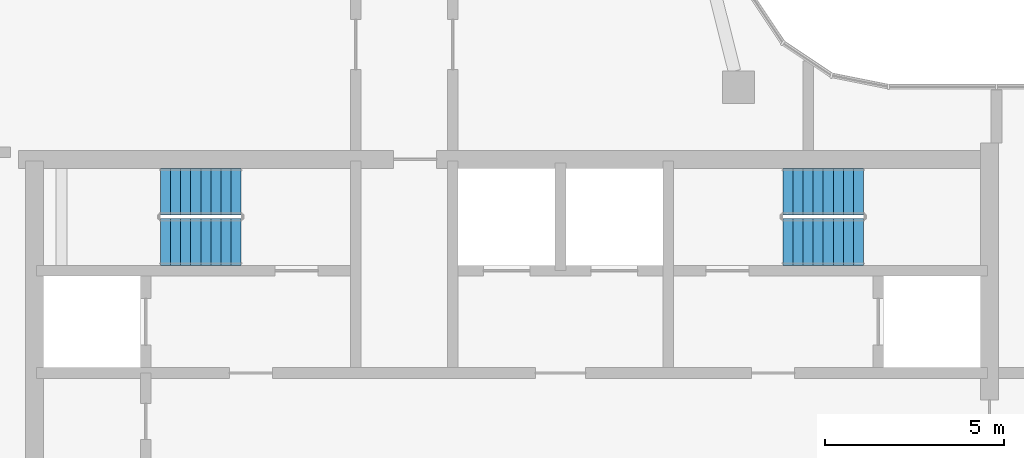
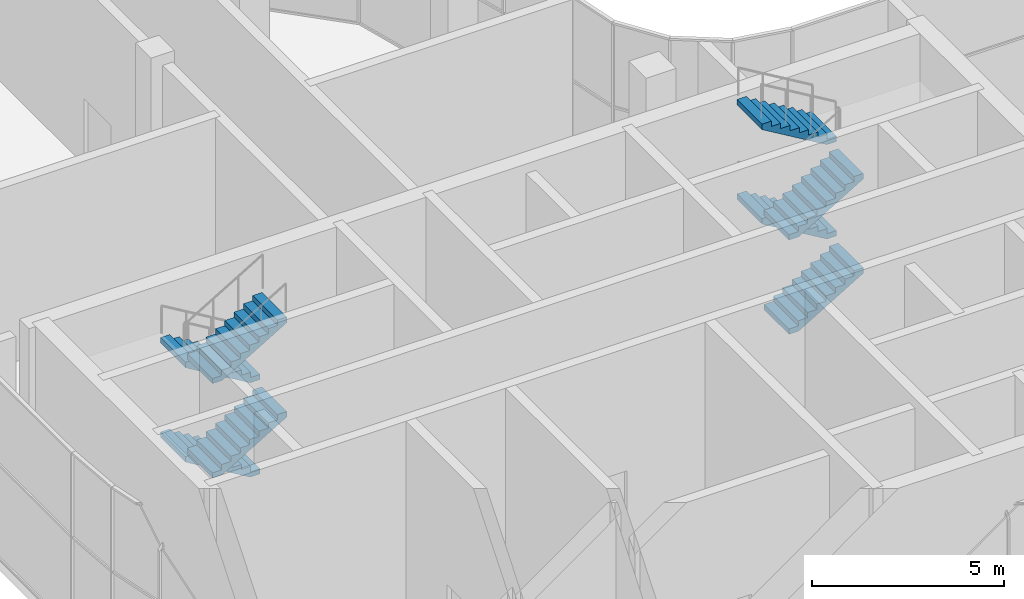
# One storey, part 17 of 19: 8 stair flights, 2 elements without a shape of their own.
"""IFC4 building model written with IfcOpenShell, lengths in metres."""

from ifc_helpers import new_model, si_unit, direction, frame, origin, place, context, subcontext, project, spatial, triangles, source, transform, mapped, material, type_object, element, aggregate, save


model = new_model("IFC4")

# Units and contexts
model_context = context("Model", 3, precision=1e-05, world=origin(), true_north=direction((0.0, 1.0)))
body_context = subcontext(model_context, "Body", "Model", "MODEL_VIEW")
ifc_project = project(units=[si_unit("LENGTHUNIT", "METRE"), si_unit("AREAUNIT", "SQUARE_METRE"), si_unit("VOLUMEUNIT", "CUBIC_METRE"), si_unit("PLANEANGLEUNIT", "RADIAN"), si_unit("MASSUNIT", "GRAM", prefix="KILO")], contexts=[model_context])

# Site, building, storey
site_placement = place(None, origin())
site = spatial("IfcSite", under=ifc_project, at=site_placement, CompositionType="ELEMENT")
building_placement = place(site_placement, origin())
building = spatial("IfcBuilding", under=site, at=building_placement, Name="Ogive Portal Towers", CompositionType="ELEMENT")
storey_placement = place(building_placement, frame((0.0, 0.0, 254.89990234375)))
storey = spatial("IfcBuildingStorey", under=building, at=storey_placement, Name="L63", CompositionType="ELEMENT", Elevation=254.89990234375)

# Stair, stair flights
ifc_material = material(Name="Concrete C40/50", Category="concrete")
stair_type = type_object("IfcStairType", Name="INT-STAIR", PredefinedType="HALF_TURN_STAIR", material=ifc_material)
stair_1_placement = place(storey_placement, origin())
stair_1 = element("IfcStair", 1, at=stair_1_placement, inside=storey, type_object=stair_type, Name="L63 Exit Stair ST-A1", PredefinedType="HALF_TURN_STAIR")
stair_flight_type = type_object("IfcStairFlightType", Name="INT-FLIGHT", PredefinedType="STRAIGHT", material=ifc_material)
shared_shape = source(origin(), body_context, "Body", "Tessellation", [
    triangles([(0.0, -0.650146484375, 0.0), (0.0, -0.376220703125, 0.0), (0.0, -0.192626953125, 0.0), (0.0, -0.081298828125, 0.0), (0.0, -0.024169921875, 0.0), (0.0, -0.003173828125, 0.0), (0.0, 0.0, 0.0), (0.0, 0.0029296875, 0.0), (0.0, 0.02392578125, 0.0), (0.0, 0.0810546875, 0.0), (0.0, 0.1923828125, 0.0), (0.0, 0.3759765625, 0.0), (0.0, 0.64990234375, 0.0), (0.0, -0.650146484375, 0.166748046875), (0.0, -0.376220703125, 0.166748046875), (0.0, -0.192626953125, 0.166748046875), (0.0, -0.081298828125, 0.166748046875), (0.0, -0.024169921875, 0.166748046875), (0.0, -0.003173828125, 0.166748046875), (0.0, 0.0, 0.166748046875), (0.0, 0.0029296875, 0.166748046875), (0.0, 0.02392578125, 0.166748046875), (0.0, 0.0810546875, 0.166748046875), (0.0, 0.1923828125, 0.166748046875), (0.0, 0.3759765625, 0.166748046875), (0.0, 0.64990234375, 0.166748046875), (0.280029296875, -0.650146484375, 0.166748046875), (0.280029296875, -0.376220703125, 0.166748046875), (0.280029296875, -0.192626953125, 0.166748046875), (0.280029296875, -0.081298828125, 0.166748046875), (0.280029296875, -0.024169921875, 0.166748046875), (0.280029296875, -0.003173828125, 0.166748046875), (0.280029296875, 0.0, 0.166748046875), (0.280029296875, 0.0029296875, 0.166748046875), (0.280029296875, 0.02392578125, 0.166748046875), (0.280029296875, 0.0810546875, 0.166748046875), (0.280029296875, 0.1923828125, 0.166748046875), (0.280029296875, 0.3759765625, 0.166748046875), (0.280029296875, 0.64990234375, 0.166748046875), (0.280029296875, -0.650146484375, 0.333251953125), (0.280029296875, -0.376220703125, 0.333251953125), (0.280029296875, -0.192626953125, 0.333251953125), (0.280029296875, -0.081298828125, 0.333251953125), (0.280029296875, -0.024169921875, 0.333251953125), (0.280029296875, -0.003173828125, 0.333251953125), (0.280029296875, 0.0, 0.333251953125), (0.280029296875, 0.0029296875, 0.333251953125), (0.280029296875, 0.02392578125, 0.333251953125), (0.280029296875, 0.0810546875, 0.333251953125), (0.280029296875, 0.1923828125, 0.333251953125), (0.280029296875, 0.3759765625, 0.333251953125), (0.280029296875, 0.64990234375, 0.333251953125), (0.56005859375, -0.650146484375, 0.333251953125), (0.56005859375, -0.376220703125, 0.333251953125), (0.56005859375, -0.192626953125, 0.333251953125), (0.56005859375, -0.081298828125, 0.333251953125), (0.56005859375, -0.024169921875, 0.333251953125), (0.56005859375, -0.003173828125, 0.333251953125), (0.56005859375, 0.0, 0.333251953125), (0.56005859375, 0.0029296875, 0.333251953125), (0.56005859375, 0.02392578125, 0.333251953125), (0.56005859375, 0.0810546875, 0.333251953125), (0.56005859375, 0.1923828125, 0.333251953125), (0.56005859375, 0.3759765625, 0.333251953125), (0.56005859375, 0.64990234375, 0.333251953125), (0.56005859375, -0.650146484375, 0.5), (0.56005859375, -0.376220703125, 0.5), (0.56005859375, -0.192626953125, 0.5), (0.56005859375, -0.081298828125, 0.5), (0.56005859375, -0.024169921875, 0.5), (0.56005859375, -0.003173828125, 0.5), (0.56005859375, 0.0, 0.5), (0.56005859375, 0.0029296875, 0.5), (0.56005859375, 0.02392578125, 0.5), (0.56005859375, 0.0810546875, 0.5), (0.56005859375, 0.1923828125, 0.5), (0.56005859375, 0.3759765625, 0.5), (0.56005859375, 0.64990234375, 0.5), (0.840087890625, -0.650146484375, 0.5), (0.840087890625, -0.376220703125, 0.5), (0.840087890625, -0.192626953125, 0.5), (0.840087890625, -0.081298828125, 0.5), (0.840087890625, -0.024169921875, 0.5), (0.840087890625, -0.003173828125, 0.5), (0.840087890625, 0.0, 0.5), (0.840087890625, 0.0029296875, 0.5), (0.840087890625, 0.02392578125, 0.5), (0.840087890625, 0.0810546875, 0.5), (0.840087890625, 0.1923828125, 0.5), (0.840087890625, 0.3759765625, 0.5), (0.840087890625, 0.64990234375, 0.5), (0.840087890625, -0.650146484375, 0.666748046875), (0.840087890625, -0.376220703125, 0.666748046875), (0.840087890625, -0.192626953125, 0.666748046875), (0.840087890625, -0.081298828125, 0.666748046875), (0.840087890625, -0.024169921875, 0.666748046875), (0.840087890625, -0.003173828125, 0.666748046875), (0.840087890625, 0.0, 0.666748046875), (0.840087890625, 0.0029296875, 0.666748046875), (0.840087890625, 0.02392578125, 0.666748046875), (0.840087890625, 0.0810546875, 0.666748046875), (0.840087890625, 0.1923828125, 0.666748046875), (0.840087890625, 0.3759765625, 0.666748046875), (0.840087890625, 0.64990234375, 0.666748046875), (1.1201171875, -0.650146484375, 0.666748046875), (1.1201171875, -0.376220703125, 0.666748046875), (1.1201171875, -0.192626953125, 0.666748046875), (1.1201171875, -0.081298828125, 0.666748046875), (1.1201171875, -0.024169921875, 0.666748046875), (1.1201171875, -0.003173828125, 0.666748046875), (1.1201171875, 0.0, 0.666748046875), (1.1201171875, 0.0029296875, 0.666748046875), (1.1201171875, 0.02392578125, 0.666748046875), (1.1201171875, 0.0810546875, 0.666748046875), (1.1201171875, 0.1923828125, 0.666748046875), (1.1201171875, 0.3759765625, 0.666748046875), (1.1201171875, 0.64990234375, 0.666748046875), (1.1201171875, -0.650146484375, 0.833251953125), (1.1201171875, -0.376220703125, 0.833251953125), (1.1201171875, -0.192626953125, 0.833251953125), (1.1201171875, -0.081298828125, 0.833251953125), (1.1201171875, -0.024169921875, 0.833251953125), (1.1201171875, -0.003173828125, 0.833251953125), (1.1201171875, 0.0, 0.833251953125), (1.1201171875, 0.0029296875, 0.833251953125), (1.1201171875, 0.02392578125, 0.833251953125), (1.1201171875, 0.0810546875, 0.833251953125), (1.1201171875, 0.1923828125, 0.833251953125), (1.1201171875, 0.3759765625, 0.833251953125), (1.1201171875, 0.64990234375, 0.833251953125), (1.39990234375, -0.650146484375, 0.833251953125), (1.39990234375, -0.376220703125, 0.833251953125), (1.39990234375, -0.192626953125, 0.833251953125), (1.39990234375, -0.081298828125, 0.833251953125), (1.39990234375, -0.024169921875, 0.833251953125), (1.39990234375, -0.003173828125, 0.833251953125), (1.39990234375, 0.0, 0.833251953125), (1.39990234375, 0.0029296875, 0.833251953125), (1.39990234375, 0.02392578125, 0.833251953125), (1.39990234375, 0.0810546875, 0.833251953125), (1.39990234375, 0.1923828125, 0.833251953125), (1.39990234375, 0.3759765625, 0.833251953125), (1.39990234375, 0.64990234375, 0.833251953125), (1.39990234375, -0.650146484375, 1.0), (1.39990234375, -0.376220703125, 1.0), (1.39990234375, -0.192626953125, 1.0), (1.39990234375, -0.081298828125, 1.0), (1.39990234375, -0.024169921875, 1.0), (1.39990234375, -0.003173828125, 1.0), (1.39990234375, 0.0, 1.0), (1.39990234375, 0.0029296875, 1.0), (1.39990234375, 0.02392578125, 1.0), (1.39990234375, 0.0810546875, 1.0), (1.39990234375, 0.1923828125, 1.0), (1.39990234375, 0.3759765625, 1.0), (1.39990234375, 0.64990234375, 1.0), (1.679931640625, -0.650146484375, 1.0), (1.679931640625, -0.376220703125, 1.0), (1.679931640625, -0.192626953125, 1.0), (1.679931640625, -0.081298828125, 1.0), (1.679931640625, -0.024169921875, 1.0), (1.679931640625, -0.003173828125, 1.0), (1.679931640625, 0.0, 1.0), (1.679931640625, 0.0029296875, 1.0), (1.679931640625, 0.02392578125, 1.0), (1.679931640625, 0.0810546875, 1.0), (1.679931640625, 0.1923828125, 1.0), (1.679931640625, 0.3759765625, 1.0), (1.679931640625, 0.64990234375, 1.0), (1.679931640625, -0.650146484375, 1.166748046875), (1.679931640625, -0.376220703125, 1.166748046875), (1.679931640625, -0.192626953125, 1.166748046875), (1.679931640625, -0.081298828125, 1.166748046875), (1.679931640625, -0.024169921875, 1.166748046875), (1.679931640625, -0.003173828125, 1.166748046875), (1.679931640625, 0.0, 1.166748046875), (1.679931640625, 0.0029296875, 1.166748046875), (1.679931640625, 0.02392578125, 1.166748046875), (1.679931640625, 0.0810546875, 1.166748046875), (1.679931640625, 0.1923828125, 1.166748046875), (1.679931640625, 0.3759765625, 1.166748046875), (1.679931640625, 0.64990234375, 1.166748046875), (1.9599609375, -0.650146484375, 1.166748046875), (1.9599609375, -0.376220703125, 1.166748046875), (1.9599609375, -0.192626953125, 1.166748046875), (1.9599609375, -0.081298828125, 1.166748046875), (1.9599609375, -0.024169921875, 1.166748046875), (1.9599609375, -0.003173828125, 1.166748046875), (1.9599609375, 0.0, 1.166748046875), (1.9599609375, 0.0029296875, 1.166748046875), (1.9599609375, 0.02392578125, 1.166748046875), (1.9599609375, 0.0810546875, 1.166748046875), (1.9599609375, 0.1923828125, 1.166748046875), (1.9599609375, 0.3759765625, 1.166748046875), (1.9599609375, 0.64990234375, 1.166748046875), (1.9599609375, -0.650146484375, 1.333251953125), (1.9599609375, -0.376220703125, 1.333251953125), (1.9599609375, -0.192626953125, 1.333251953125), (1.9599609375, -0.081298828125, 1.333251953125), (1.9599609375, -0.024169921875, 1.333251953125), (1.9599609375, -0.003173828125, 1.333251953125), (1.9599609375, 0.0, 1.333251953125), (1.9599609375, 0.0029296875, 1.333251953125), (1.9599609375, 0.02392578125, 1.333251953125), (1.9599609375, 0.0810546875, 1.333251953125), (1.9599609375, 0.1923828125, 1.333251953125), (1.9599609375, 0.3759765625, 1.333251953125), (1.9599609375, 0.64990234375, 1.333251953125), (2.239990234375, -0.650146484375, 1.333251953125), (2.239990234375, -0.376220703125, 1.333251953125), (2.239990234375, -0.192626953125, 1.333251953125), (2.239990234375, -0.081298828125, 1.333251953125), (2.239990234375, -0.024169921875, 1.333251953125), (2.239990234375, -0.003173828125, 1.333251953125), (2.239990234375, 0.0, 1.333251953125), (2.239990234375, 0.0029296875, 1.333251953125), (2.239990234375, 0.02392578125, 1.333251953125), (2.239990234375, 0.0810546875, 1.333251953125), (2.239990234375, 0.1923828125, 1.333251953125), (2.239990234375, 0.3759765625, 1.333251953125), (2.239990234375, 0.64990234375, 1.333251953125), (2.239990234375, -0.650146484375, 1.158935546875), (2.239990234375, -0.376220703125, 1.158935546875), (2.239990234375, -0.192626953125, 1.158935546875), (2.239990234375, -0.081298828125, 1.158935546875), (2.239990234375, -0.024169921875, 1.158935546875), (2.239990234375, -0.003173828125, 1.158935546875), (2.239990234375, 0.0, 1.158935546875), (2.239990234375, 0.0029296875, 1.158935546875), (2.239990234375, 0.02392578125, 1.158935546875), (2.239990234375, 0.0810546875, 1.158935546875), (2.239990234375, 0.1923828125, 1.158935546875), (2.239990234375, 0.3759765625, 1.158935546875), (2.239990234375, 0.64990234375, 1.158935546875), (0.29296875, -0.650146484375, 0.0), (0.29296875, -0.376220703125, 0.0), (0.29296875, -0.192626953125, 0.0), (0.29296875, -0.081298828125, 0.0), (0.29296875, -0.024169921875, 0.0), (0.29296875, -0.003173828125, 0.0), (0.29296875, 0.0, 0.0), (0.29296875, 0.0029296875, 0.0), (0.29296875, 0.02392578125, 0.0), (0.29296875, 0.0810546875, 0.0), (0.29296875, 0.1923828125, 0.0), (0.29296875, 0.3759765625, 0.0), (0.29296875, 0.64990234375, 0.0)], [[1, 14, 15], [1, 15, 2], [2, 15, 16], [2, 16, 3], [3, 16, 17], [3, 17, 4], [4, 17, 18], [4, 18, 5], [5, 18, 19], [5, 19, 6], [6, 19, 20], [6, 20, 7], [7, 20, 21], [7, 21, 8], [8, 21, 22], [8, 22, 9], [9, 22, 23], [9, 23, 10], [10, 23, 24], [10, 24, 11], [11, 24, 25], [11, 25, 12], [12, 25, 26], [12, 26, 13], [14, 27, 28], [14, 28, 15], [15, 28, 29], [15, 29, 16], [16, 29, 30], [16, 30, 17], [17, 30, 31], [17, 31, 18], [18, 31, 32], [18, 32, 19], [19, 32, 33], [19, 33, 20], [20, 33, 34], [20, 34, 21], [21, 34, 35], [21, 35, 22], [22, 35, 36], [22, 36, 23], [23, 36, 37], [23, 37, 24], [24, 37, 38], [24, 38, 25], [25, 38, 39], [25, 39, 26], [27, 40, 41], [27, 41, 28], [28, 41, 42], [28, 42, 29], [29, 42, 43], [29, 43, 30], [30, 43, 44], [30, 44, 31], [31, 44, 45], [31, 45, 32], [32, 45, 46], [32, 46, 33], [33, 46, 47], [33, 47, 34], [34, 47, 48], [34, 48, 35], [35, 48, 49], [35, 49, 36], [36, 49, 50], [36, 50, 37], [37, 50, 51], [37, 51, 38], [38, 51, 52], [38, 52, 39], [40, 53, 54], [40, 54, 41], [41, 54, 55], [41, 55, 42], [42, 55, 56], [42, 56, 43], [43, 56, 57], [43, 57, 44], [44, 57, 58], [44, 58, 45], [45, 58, 59], [45, 59, 46], [46, 59, 60], [46, 60, 47], [47, 60, 61], [47, 61, 48], [48, 61, 62], [48, 62, 49], [49, 62, 63], [49, 63, 50], [50, 63, 64], [50, 64, 51], [51, 64, 65], [51, 65, 52], [53, 66, 67], [53, 67, 54], [54, 67, 68], [54, 68, 55], [55, 68, 69], [55, 69, 56], [56, 69, 70], [56, 70, 57], [57, 70, 71], [57, 71, 58], [58, 71, 72], [58, 72, 59], [59, 72, 73], [59, 73, 60], [60, 73, 74], [60, 74, 61], [61, 74, 75], [61, 75, 62], [62, 75, 76], [62, 76, 63], [63, 76, 77], [63, 77, 64], [64, 77, 78], [64, 78, 65], [66, 79, 80], [66, 80, 67], [67, 80, 81], [67, 81, 68], [68, 81, 82], [68, 82, 69], [69, 82, 83], [69, 83, 70], [70, 83, 84], [70, 84, 71], [71, 84, 85], [71, 85, 72], [72, 85, 86], [72, 86, 73], [73, 86, 87], [73, 87, 74], [74, 87, 88], [74, 88, 75], [75, 88, 89], [75, 89, 76], [76, 89, 90], [76, 90, 77], [77, 90, 91], [77, 91, 78], [79, 92, 93], [79, 93, 80], [80, 93, 94], [80, 94, 81], [81, 94, 95], [81, 95, 82], [82, 95, 96], [82, 96, 83], [83, 96, 97], [83, 97, 84], [84, 97, 98], [84, 98, 85], [85, 98, 99], [85, 99, 86], [86, 99, 100], [86, 100, 87], [87, 100, 101], [87, 101, 88], [88, 101, 102], [88, 102, 89], [89, 102, 103], [89, 103, 90], [90, 103, 104], [90, 104, 91], [92, 105, 106], [92, 106, 93], [93, 106, 107], [93, 107, 94], [94, 107, 108], [94, 108, 95], [95, 108, 109], [95, 109, 96], [96, 109, 110], [96, 110, 97], [97, 110, 111], [97, 111, 98], [98, 111, 112], [98, 112, 99], [99, 112, 113], [99, 113, 100], [100, 113, 114], [100, 114, 101], [101, 114, 115], [101, 115, 102], [102, 115, 116], [102, 116, 103], [103, 116, 117], [103, 117, 104], [105, 118, 119], [105, 119, 106], [106, 119, 120], [106, 120, 107], [107, 120, 121], [107, 121, 108], [108, 121, 122], [108, 122, 109], [109, 122, 123], [109, 123, 110], [110, 123, 124], [110, 124, 111], [111, 124, 125], [111, 125, 112], [112, 125, 126], [112, 126, 113], [113, 126, 127], [113, 127, 114], [114, 127, 128], [114, 128, 115], [115, 128, 129], [115, 129, 116], [116, 129, 130], [116, 130, 117], [118, 131, 132], [118, 132, 119], [119, 132, 133], [119, 133, 120], [120, 133, 134], [120, 134, 121], [121, 134, 135], [121, 135, 122], [122, 135, 136], [122, 136, 123], [123, 136, 137], [123, 137, 124], [124, 137, 138], [124, 138, 125], [125, 138, 139], [125, 139, 126], [126, 139, 140], [126, 140, 127], [127, 140, 141], [127, 141, 128], [128, 141, 142], [128, 142, 129], [129, 142, 143], [129, 143, 130], [131, 144, 145], [131, 145, 132], [132, 145, 146], [132, 146, 133], [133, 146, 147], [133, 147, 134], [134, 147, 148], [134, 148, 135], [135, 148, 149], [135, 149, 136], [136, 149, 150], [136, 150, 137], [137, 150, 151], [137, 151, 138], [138, 151, 152], [138, 152, 139], [139, 152, 153], [139, 153, 140], [140, 153, 154], [140, 154, 141], [141, 154, 155], [141, 155, 142], [142, 155, 156], [142, 156, 143], [144, 157, 158], [144, 158, 145], [145, 158, 159], [145, 159, 146], [146, 159, 160], [146, 160, 147], [147, 160, 161], [147, 161, 148], [148, 161, 162], [148, 162, 149], [149, 162, 163], [149, 163, 150], [150, 163, 164], [150, 164, 151], [151, 164, 165], [151, 165, 152], [152, 165, 166], [152, 166, 153], [153, 166, 167], [153, 167, 154], [154, 167, 168], [154, 168, 155], [155, 168, 169], [155, 169, 156], [157, 170, 171], [157, 171, 158], [158, 171, 172], [158, 172, 159], [159, 172, 173], [159, 173, 160], [160, 173, 174], [160, 174, 161], [161, 174, 175], [161, 175, 162], [162, 175, 176], [162, 176, 163], [163, 176, 177], [163, 177, 164], [164, 177, 178], [164, 178, 165], [165, 178, 179], [165, 179, 166], [166, 179, 180], [166, 180, 167], [167, 180, 181], [167, 181, 168], [168, 181, 182], [168, 182, 169], [170, 183, 184], [170, 184, 171], [171, 184, 185], [171, 185, 172], [172, 185, 186], [172, 186, 173], [173, 186, 187], [173, 187, 174], [174, 187, 188], [174, 188, 175], [175, 188, 189], [175, 189, 176], [176, 189, 190], [176, 190, 177], [177, 190, 191], [177, 191, 178], [178, 191, 192], [178, 192, 179], [179, 192, 193], [179, 193, 180], [180, 193, 194], [180, 194, 181], [181, 194, 195], [181, 195, 182], [183, 196, 197], [183, 197, 184], [184, 197, 198], [184, 198, 185], [185, 198, 199], [185, 199, 186], [186, 199, 200], [186, 200, 187], [187, 200, 201], [187, 201, 188], [188, 201, 202], [188, 202, 189], [189, 202, 203], [189, 203, 190], [190, 203, 204], [190, 204, 191], [191, 204, 205], [191, 205, 192], [192, 205, 206], [192, 206, 193], [193, 206, 207], [193, 207, 194], [194, 207, 208], [194, 208, 195], [196, 209, 210], [196, 210, 197], [197, 210, 211], [197, 211, 198], [198, 211, 212], [198, 212, 199], [199, 212, 213], [199, 213, 200], [200, 213, 214], [200, 214, 201], [201, 214, 215], [201, 215, 202], [202, 215, 216], [202, 216, 203], [203, 216, 217], [203, 217, 204], [204, 217, 218], [204, 218, 205], [205, 218, 219], [205, 219, 206], [206, 219, 220], [206, 220, 207], [207, 220, 221], [207, 221, 208], [209, 222, 223], [209, 223, 210], [210, 223, 224], [210, 224, 211], [211, 224, 225], [211, 225, 212], [212, 225, 226], [212, 226, 213], [213, 226, 227], [213, 227, 214], [214, 227, 228], [214, 228, 215], [215, 228, 229], [215, 229, 216], [216, 229, 230], [216, 230, 217], [217, 230, 231], [217, 231, 218], [218, 231, 232], [218, 232, 219], [219, 232, 233], [219, 233, 220], [220, 233, 234], [220, 234, 221], [222, 235, 236], [222, 236, 223], [223, 236, 237], [223, 237, 224], [224, 237, 238], [224, 238, 225], [225, 238, 239], [225, 239, 226], [226, 239, 240], [226, 240, 227], [227, 240, 241], [227, 241, 228], [228, 241, 242], [228, 242, 229], [229, 242, 243], [229, 243, 230], [230, 243, 244], [230, 244, 231], [231, 244, 245], [231, 245, 232], [232, 245, 246], [232, 246, 233], [233, 246, 247], [233, 247, 234], [235, 1, 2], [235, 2, 236], [236, 2, 3], [236, 3, 237], [237, 3, 4], [237, 4, 238], [238, 4, 5], [238, 5, 239], [239, 5, 6], [239, 6, 240], [240, 6, 7], [240, 7, 241], [241, 7, 8], [241, 8, 242], [242, 8, 9], [242, 9, 243], [243, 9, 10], [243, 10, 244], [244, 10, 11], [244, 11, 245], [245, 11, 12], [245, 12, 246], [246, 12, 13], [246, 13, 247], [1, 235, 222], [13, 234, 247], [222, 209, 196], [234, 208, 221], [222, 196, 183], [234, 195, 208], [222, 183, 170], [234, 182, 195], [222, 170, 157], [234, 169, 182], [157, 144, 131], [169, 143, 156], [222, 157, 131], [234, 143, 169], [131, 118, 105], [143, 117, 130], [222, 131, 105], [234, 117, 143], [105, 92, 79], [117, 91, 104], [222, 105, 79], [234, 91, 117], [79, 66, 53], [91, 65, 78], [222, 79, 53], [234, 65, 91], [1, 222, 53], [13, 65, 234], [53, 40, 27], [65, 39, 52], [1, 53, 27], [13, 39, 65], [27, 14, 1], [39, 13, 26]], closed=True),
])
stair_flight_1_placement = place(storey_placement, frame((37.449951171875, 38.39990234375, 0.0), z_axis=(0.0, 0.0, 1.0), x_axis=(-1.0, 0.0, 0.0)))
stair_flight_1 = element("IfcStairFlight", 2, at=stair_flight_1_placement, type_object=stair_flight_type, Name="ST-A1 flight 1", NumberOfRisers=9, NumberOfTreads=8, PredefinedType="STRAIGHT", RiserHeight=0.166666667, TreadLength=0.28, context=body_context, shape_type="MappedRepresentation", body=[
    mapped(shared_shape, transform((0.0, 0.0, 0.0), scale=1.0)),
])
stair_flight_2_placement = place(storey_placement, frame((35.2099609375, 37.0, 1.5), z_axis=(0.0, 0.0, 1.0), x_axis=(1.0, 0.0, 0.0)))
stair_flight_2 = element("IfcStairFlight", 3, at=stair_flight_2_placement, type_object=stair_flight_type, Name="ST-A1 flight 2", NumberOfRisers=9, NumberOfTreads=8, PredefinedType="STRAIGHT", RiserHeight=0.166666667, TreadLength=0.28, context=body_context, shape_type="MappedRepresentation", body=[
    mapped(shared_shape, transform((0.0, 0.0, 0.0), scale=1.0)),
])
stair_flight_3_placement = place(storey_placement, frame((37.449951171875, 38.39990234375, 3.0), z_axis=(0.0, 0.0, 1.0), x_axis=(-1.0, 0.0, 0.0)))
stair_flight_3 = element("IfcStairFlight", 4, at=stair_flight_3_placement, type_object=stair_flight_type, Name="ST-A1 flight 3", NumberOfRisers=9, NumberOfTreads=8, PredefinedType="STRAIGHT", RiserHeight=0.166666667, TreadLength=0.28, context=body_context, shape_type="MappedRepresentation", body=[
    mapped(shared_shape, transform((0.0, 0.0, 0.0), scale=1.0)),
])
stair_flight_4_placement = place(storey_placement, frame((35.2099609375, 37.0, 4.5), z_axis=(0.0, 0.0, 1.0), x_axis=(1.0, 0.0, 0.0)))
stair_flight_4 = element("IfcStairFlight", 5, at=stair_flight_4_placement, type_object=stair_flight_type, Name="ST-A1 flight 4", NumberOfRisers=9, NumberOfTreads=8, PredefinedType="STRAIGHT", RiserHeight=0.166666667, TreadLength=0.28, context=body_context, shape_type="MappedRepresentation", body=[
    mapped(shared_shape, transform((0.0, 0.0, 0.0), scale=1.0)),
])
aggregate(stair_1, [stair_flight_1, stair_flight_2, stair_flight_3, stair_flight_4])

stair_2_placement = place(storey_placement, origin())
stair_2 = element("IfcStair", 6, at=stair_2_placement, inside=storey, type_object=stair_type, Name="L63 Exit Stair ST-A2", PredefinedType="HALF_TURN_STAIR")
stair_flight_5_placement = place(storey_placement, frame((52.550048828125, 37.0, 0.0), z_axis=(0.0, 0.0, 1.0), x_axis=(1.0, 0.0, 0.0)))
stair_flight_5 = element("IfcStairFlight", 7, at=stair_flight_5_placement, type_object=stair_flight_type, Name="ST-A2 flight 1", NumberOfRisers=9, NumberOfTreads=8, PredefinedType="STRAIGHT", RiserHeight=0.166666667, TreadLength=0.28, context=body_context, shape_type="MappedRepresentation", body=[
    mapped(shared_shape, transform((0.0, 0.0, 0.0), scale=1.0)),
])
stair_flight_6_placement = place(storey_placement, frame((54.7900390625, 38.39990234375, 1.5), z_axis=(0.0, 0.0, 1.0), x_axis=(-1.0, 0.0, 0.0)))
stair_flight_6 = element("IfcStairFlight", 8, at=stair_flight_6_placement, type_object=stair_flight_type, Name="ST-A2 flight 2", NumberOfRisers=9, NumberOfTreads=8, PredefinedType="STRAIGHT", RiserHeight=0.166666667, TreadLength=0.28, context=body_context, shape_type="MappedRepresentation", body=[
    mapped(shared_shape, transform((0.0, 0.0, 0.0), scale=1.0)),
])
stair_flight_7_placement = place(storey_placement, frame((52.550048828125, 37.0, 3.0), z_axis=(0.0, 0.0, 1.0), x_axis=(1.0, 0.0, 0.0)))
stair_flight_7 = element("IfcStairFlight", 9, at=stair_flight_7_placement, type_object=stair_flight_type, Name="ST-A2 flight 3", NumberOfRisers=9, NumberOfTreads=8, PredefinedType="STRAIGHT", RiserHeight=0.166666667, TreadLength=0.28, context=body_context, shape_type="MappedRepresentation", body=[
    mapped(shared_shape, transform((0.0, 0.0, 0.0), scale=1.0)),
])
stair_flight_8_placement = place(storey_placement, frame((54.7900390625, 38.39990234375, 4.5), z_axis=(0.0, 0.0, 1.0), x_axis=(-1.0, 0.0, 0.0)))
stair_flight_8 = element("IfcStairFlight", 10, at=stair_flight_8_placement, type_object=stair_flight_type, Name="ST-A2 flight 4", NumberOfRisers=9, NumberOfTreads=8, PredefinedType="STRAIGHT", RiserHeight=0.166666667, TreadLength=0.28, context=body_context, shape_type="MappedRepresentation", body=[
    mapped(shared_shape, transform((0.0, 0.0, 0.0), scale=1.0)),
])
aggregate(stair_2, [stair_flight_5, stair_flight_6, stair_flight_7, stair_flight_8])

save(model, "model.ifc")
